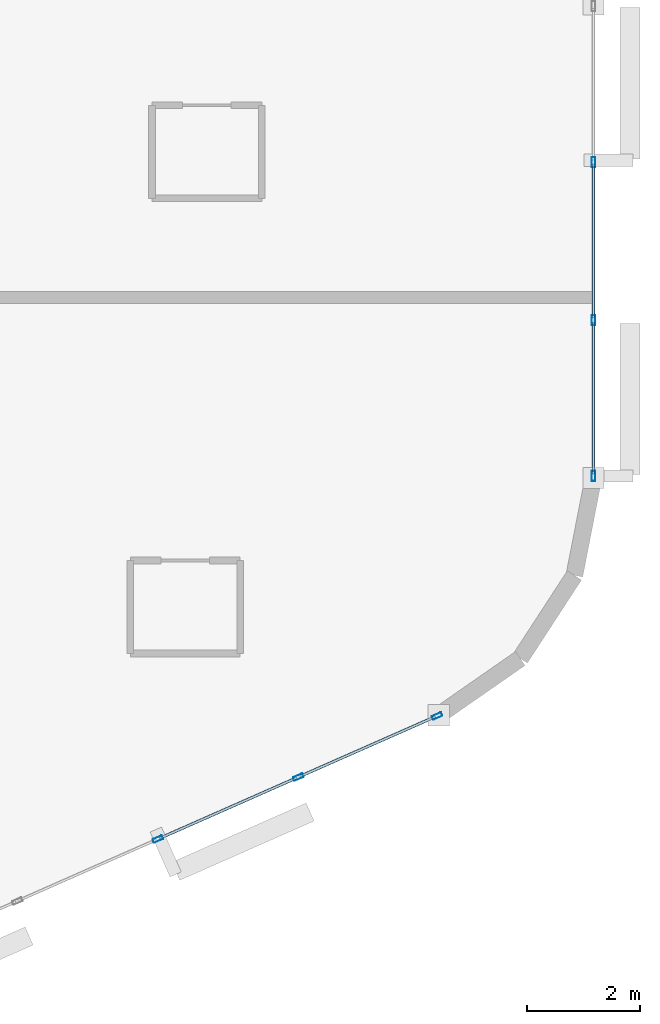
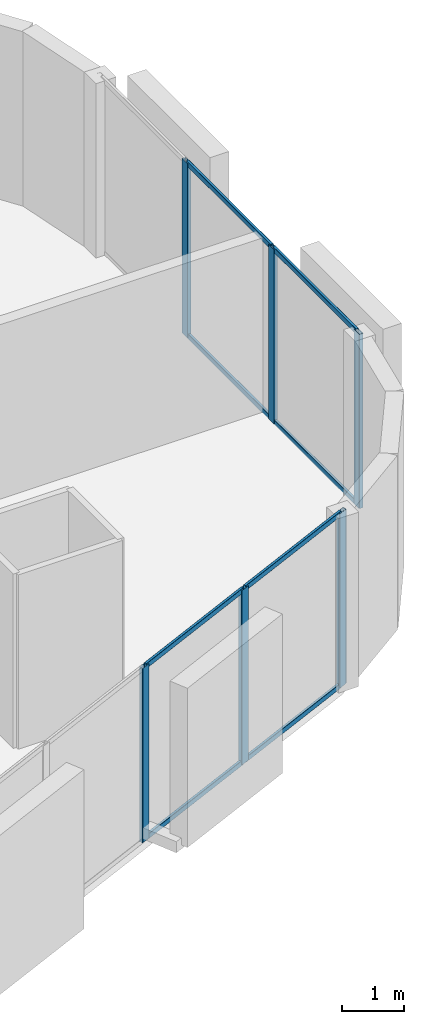
# One storey, part 4 of 12: 14 members, 2 elements without a shape of their own.
"""IFC4 building model written with IfcOpenShell, lengths in metres."""

from ifc_helpers import new_model, si_unit, direction, frame, origin, origin_2d, place, context, subcontext, project, spatial, hollow_rectangle, extrude, material, layer, layer_set, material_profile, profile_set, type_object, element, aggregate, save


model = new_model("IFC4")

# Units and contexts
model_context = context("Model", 3, precision=1e-05, world=origin(), true_north=direction((0.0, 1.0)))
body_context = subcontext(model_context, "Body", "Model", "MODEL_VIEW")
ifc_project = project(units=[si_unit("LENGTHUNIT", "METRE"), si_unit("AREAUNIT", "SQUARE_METRE"), si_unit("VOLUMEUNIT", "CUBIC_METRE"), si_unit("PLANEANGLEUNIT", "RADIAN"), si_unit("MASSUNIT", "GRAM", prefix="KILO")], contexts=[model_context])

# Site, building, storey
site_placement = place(None, origin())
site = spatial("IfcSite", under=ifc_project, at=site_placement, CompositionType="ELEMENT")
building_placement = place(site_placement, origin())
building = spatial("IfcBuilding", under=site, at=building_placement, Name="An Khanh Terracotta Commons", CompositionType="ELEMENT")
storey_placement = place(building_placement, frame((0.0, 0.0, 262.449951171875)))
storey = spatial("IfcBuildingStorey", under=building, at=storey_placement, Name="L68", CompositionType="ELEMENT", Elevation=262.449951171875)

# Curtain wall, members
ifc_material = material(Name="Anodised Aluminium 6063-T6", Category="aluminium")
ifc_layer = layer(ifc_material, 0.2099609375, Name="Anodised Aluminium 6063-T6")
ifc_layer_set = layer_set([ifc_layer], Name="Anodised Aluminium 6063-T6")
curtain_wall_type = type_object("IfcCurtainWallType", Name="CW-SYS-03", PredefinedType="USERDEFINED", material=ifc_layer_set)
curtain_wall_1_placement = place(storey_placement, origin())
curtain_wall_1 = element("IfcCurtainWall", 1, at=curtain_wall_1_placement, inside=storey, type_object=curtain_wall_type, Name="L68 CW-03 Unitised Curtain Wall CW-L68-08", ObjectType="UNITISED CURTAIN WALL", PredefinedType="USERDEFINED")
ifc_material_profile_1 = material_profile(ifc_material, hollow_rectangle(XDim=0.070068359375, YDim=0.179931640625, WallThickness=0.00390625, InnerFilletRadius=0.00390625, OuterFilletRadius=0.008056640625, at=origin_2d()), Name="RHS180x70x4")
ifc_profile_set_1 = profile_set([ifc_material_profile_1], Name="Anodised Aluminium 6063-T6")
member_type_1 = type_object("IfcMemberType", Name="CWM-RHS180x70x4", PredefinedType="MULLION", material=ifc_profile_set_1)
member_1_placement = place(storey_placement, frame((67.8720703125, 13.390380859375, 0.0), z_axis=(0.0, 0.0, 1.0), x_axis=(-0.403676354285, 0.914901853201, 0.0)))
member_1 = element("IfcMember", 2, at=member_1_placement, type_object=member_type_1, Name="CW-03 mullion 3", PredefinedType="MULLION", context=body_context, shape_type="SweptSolid", body=[
    extrude(hollow_rectangle(XDim=0.070068359375, YDim=0.179931640625, WallThickness=0.00390625, InnerFilletRadius=0.00390625, OuterFilletRadius=0.008056640625, at=origin_2d()), origin(), (0.0, 0.0, 1.0), 3.449951171875),
])
member_2_placement = place(storey_placement, frame((70.364501953125, 14.490234375, 0.0), z_axis=(0.0, 0.0, 1.0), x_axis=(-0.403676354285, 0.914901853201, 0.0)))
member_2 = element("IfcMember", 3, at=member_2_placement, type_object=member_type_1, Name="CW-03 mullion 4", PredefinedType="MULLION", context=body_context, shape_type="SweptSolid", body=[
    extrude(hollow_rectangle(XDim=0.070068359375, YDim=0.179931640625, WallThickness=0.00390625, InnerFilletRadius=0.00390625, OuterFilletRadius=0.008056640625, at=origin_2d()), origin(), (0.0, 0.0, 1.0), 3.449951171875),
])
member_3_placement = place(storey_placement, frame((72.824951171875, 15.575927734375, 0.0), z_axis=(0.0, 0.0, 1.0), x_axis=(-0.403676354285, 0.914901853201, 0.0)))
member_3 = element("IfcMember", 4, at=member_3_placement, type_object=member_type_1, Name="CW-03 mullion 5", PredefinedType="MULLION", context=body_context, shape_type="SweptSolid", body=[
    extrude(hollow_rectangle(XDim=0.070068359375, YDim=0.179931640625, WallThickness=0.00390625, InnerFilletRadius=0.00390625, OuterFilletRadius=0.008056640625, at=origin_2d()), origin(), (0.0, 0.0, 1.0), 3.449951171875),
])

curtain_wall_2_placement = place(storey_placement, origin())
curtain_wall_2 = element("IfcCurtainWall", 5, at=curtain_wall_2_placement, inside=storey, type_object=curtain_wall_type, Name="L68 CW-03 Unitised Curtain Wall CW-L68-12", ObjectType="UNITISED CURTAIN WALL", PredefinedType="USERDEFINED")
member_4_placement = place(storey_placement, frame((75.60009765625, 19.8330078125, 0.0), z_axis=(0.0, 0.0, 1.0), x_axis=(-1.0, 0.0, 0.0)))
member_4 = element("IfcMember", 6, at=member_4_placement, type_object=member_type_1, Name="CW-03 mullion 1", PredefinedType="MULLION", context=body_context, shape_type="SweptSolid", body=[
    extrude(hollow_rectangle(XDim=0.070068359375, YDim=0.179931640625, WallThickness=0.00390625, InnerFilletRadius=0.00390625, OuterFilletRadius=0.008056640625, at=origin_2d()), origin(), (0.0, 0.0, 1.0), 3.449951171875),
])
member_5_placement = place(storey_placement, frame((75.60009765625, 22.599365234375, 0.0), z_axis=(0.0, 0.0, 1.0), x_axis=(-1.0, 0.0, 0.0)))
member_5 = element("IfcMember", 7, at=member_5_placement, type_object=member_type_1, Name="CW-03 mullion 2", PredefinedType="MULLION", context=body_context, shape_type="SweptSolid", body=[
    extrude(hollow_rectangle(XDim=0.070068359375, YDim=0.179931640625, WallThickness=0.00390625, InnerFilletRadius=0.00390625, OuterFilletRadius=0.008056640625, at=origin_2d()), origin(), (0.0, 0.0, 1.0), 3.449951171875),
])
member_6_placement = place(storey_placement, frame((75.60009765625, 25.400634765625, 0.0), z_axis=(0.0, 0.0, 1.0), x_axis=(-1.0, 0.0, 0.0)))
member_6 = element("IfcMember", 8, at=member_6_placement, type_object=member_type_1, Name="CW-03 mullion 3", PredefinedType="MULLION", context=body_context, shape_type="SweptSolid", body=[
    extrude(hollow_rectangle(XDim=0.070068359375, YDim=0.179931640625, WallThickness=0.00390625, InnerFilletRadius=0.00390625, OuterFilletRadius=0.008056640625, at=origin_2d()), origin(), (0.0, 0.0, 1.0), 3.449951171875),
])

# Member
ifc_material_profile_2 = material_profile(ifc_material, hollow_rectangle(XDim=0.050048828125, YDim=0.10009765625, WallThickness=0.003173828125, InnerFilletRadius=0.003173828125, OuterFilletRadius=0.00634765625, at=origin_2d()), Name="RHS100x50x3.2")
ifc_profile_set_2 = profile_set([ifc_material_profile_2], Name="Anodised Aluminium 6063-T6")
member_type_2 = type_object("IfcMemberType", Name="CWT-RHS100x50x3.2", PredefinedType="USERDEFINED", material=ifc_profile_set_2)
member_7_placement = place(storey_placement, frame((67.904052734375, 13.404541015625, 0.025146484375), z_axis=(0.914896820753, 0.403687759755, 0.0), x_axis=(-0.403687759755, 0.914896820753, 0.0)))
member_7 = element("IfcMember", 9, at=member_7_placement, type_object=member_type_2, Name="CW-03 transom 3.1", ObjectType="TRANSOM", PredefinedType="USERDEFINED", context=body_context, shape_type="SweptSolid", body=[
    extrude(hollow_rectangle(XDim=0.050048828125, YDim=0.10009765625, WallThickness=0.003173828125, InnerFilletRadius=0.003173828125, OuterFilletRadius=0.00634765625, at=origin_2d()), origin(), (0.0, 0.0, 1.0), 2.654296875),
])

member_8_placement = place(storey_placement, frame((67.904052734375, 13.404541015625, 3.425048828125), z_axis=(0.914896820753, 0.403687759755, 0.0), x_axis=(-0.403687759755, 0.914896820753, 0.0)))
member_8 = element("IfcMember", 10, at=member_8_placement, type_object=member_type_2, Name="CW-03 transom 3.2", ObjectType="TRANSOM", PredefinedType="USERDEFINED", context=body_context, shape_type="SweptSolid", body=[
    extrude(hollow_rectangle(XDim=0.050048828125, YDim=0.10009765625, WallThickness=0.003173828125, InnerFilletRadius=0.003173828125, OuterFilletRadius=0.00634765625, at=origin_2d()), origin(), (0.0, 0.0, 1.0), 2.654296875),
])

member_9_placement = place(storey_placement, frame((70.396484375, 14.50439453125, 0.025146484375), z_axis=(0.914903627858, 0.403672332137, 0.0), x_axis=(-0.403672332137, 0.914903627858, 0.0)))
member_9 = element("IfcMember", 11, at=member_9_placement, type_object=member_type_2, Name="CW-03 transom 4.1", ObjectType="TRANSOM", PredefinedType="USERDEFINED", context=body_context, shape_type="SweptSolid", body=[
    extrude(hollow_rectangle(XDim=0.050048828125, YDim=0.10009765625, WallThickness=0.003173828125, InnerFilletRadius=0.003173828125, OuterFilletRadius=0.00634765625, at=origin_2d()), origin(), (0.0, 0.0, 1.0), 2.619384765625),
])

member_10_placement = place(storey_placement, frame((70.396484375, 14.50439453125, 3.425048828125), z_axis=(0.914903627858, 0.403672332137, 0.0), x_axis=(-0.403672332137, 0.914903627858, 0.0)))
member_10 = element("IfcMember", 12, at=member_10_placement, type_object=member_type_2, Name="CW-03 transom 4.2", ObjectType="TRANSOM", PredefinedType="USERDEFINED", context=body_context, shape_type="SweptSolid", body=[
    extrude(hollow_rectangle(XDim=0.050048828125, YDim=0.10009765625, WallThickness=0.003173828125, InnerFilletRadius=0.003173828125, OuterFilletRadius=0.00634765625, at=origin_2d()), origin(), (0.0, 0.0, 1.0), 2.619384765625),
])

aggregate(curtain_wall_1, [member_1, member_2, member_3, member_7, member_8, member_9, member_10])

member_11_placement = place(storey_placement, frame((75.60009765625, 19.867919921875, 0.025146484375), z_axis=(0.0, 1.0, 0.0), x_axis=(-1.0, 0.0, 0.0)))
member_11 = element("IfcMember", 13, at=member_11_placement, type_object=member_type_2, Name="CW-03 transom 1.1", ObjectType="TRANSOM", PredefinedType="USERDEFINED", context=body_context, shape_type="SweptSolid", body=[
    extrude(hollow_rectangle(XDim=0.050048828125, YDim=0.10009765625, WallThickness=0.003173828125, InnerFilletRadius=0.003173828125, OuterFilletRadius=0.00634765625, at=origin_2d()), origin(), (0.0, 0.0, 1.0), 2.696533203125),
])

member_12_placement = place(storey_placement, frame((75.60009765625, 19.867919921875, 3.425048828125), z_axis=(0.0, 1.0, 0.0), x_axis=(-1.0, 0.0, 0.0)))
member_12 = element("IfcMember", 14, at=member_12_placement, type_object=member_type_2, Name="CW-03 transom 1.2", ObjectType="TRANSOM", PredefinedType="USERDEFINED", context=body_context, shape_type="SweptSolid", body=[
    extrude(hollow_rectangle(XDim=0.050048828125, YDim=0.10009765625, WallThickness=0.003173828125, InnerFilletRadius=0.003173828125, OuterFilletRadius=0.00634765625, at=origin_2d()), origin(), (0.0, 0.0, 1.0), 2.696533203125),
])

member_13_placement = place(storey_placement, frame((75.60009765625, 22.63427734375, 0.025146484375), z_axis=(0.0, 1.0, 0.0), x_axis=(-1.0, 0.0, 0.0)))
member_13 = element("IfcMember", 15, at=member_13_placement, type_object=member_type_2, Name="CW-03 transom 2.1", ObjectType="TRANSOM", PredefinedType="USERDEFINED", context=body_context, shape_type="SweptSolid", body=[
    extrude(hollow_rectangle(XDim=0.050048828125, YDim=0.10009765625, WallThickness=0.003173828125, InnerFilletRadius=0.003173828125, OuterFilletRadius=0.00634765625, at=origin_2d()), origin(), (0.0, 0.0, 1.0), 2.7314453125),
])

member_14_placement = place(storey_placement, frame((75.60009765625, 22.63427734375, 3.425048828125), z_axis=(0.0, 1.0, 0.0), x_axis=(-1.0, 0.0, 0.0)))
member_14 = element("IfcMember", 16, at=member_14_placement, type_object=member_type_2, Name="CW-03 transom 2.2", ObjectType="TRANSOM", PredefinedType="USERDEFINED", context=body_context, shape_type="SweptSolid", body=[
    extrude(hollow_rectangle(XDim=0.050048828125, YDim=0.10009765625, WallThickness=0.003173828125, InnerFilletRadius=0.003173828125, OuterFilletRadius=0.00634765625, at=origin_2d()), origin(), (0.0, 0.0, 1.0), 2.7314453125),
])

aggregate(curtain_wall_2, [member_4, member_5, member_6, member_11, member_12, member_13, member_14])

save(model, "model.ifc")
